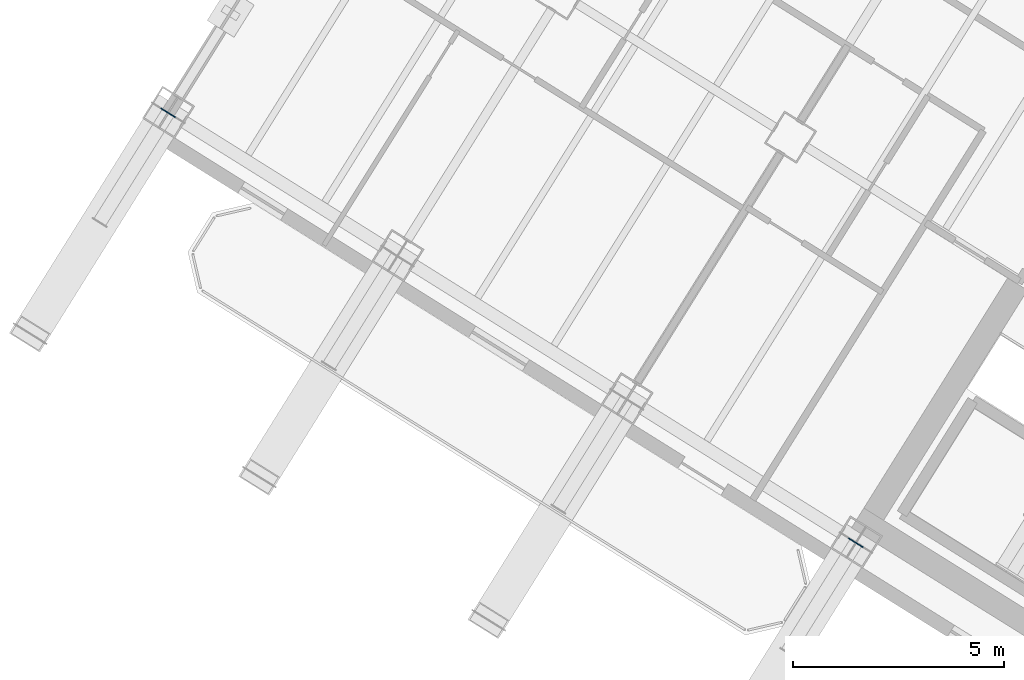
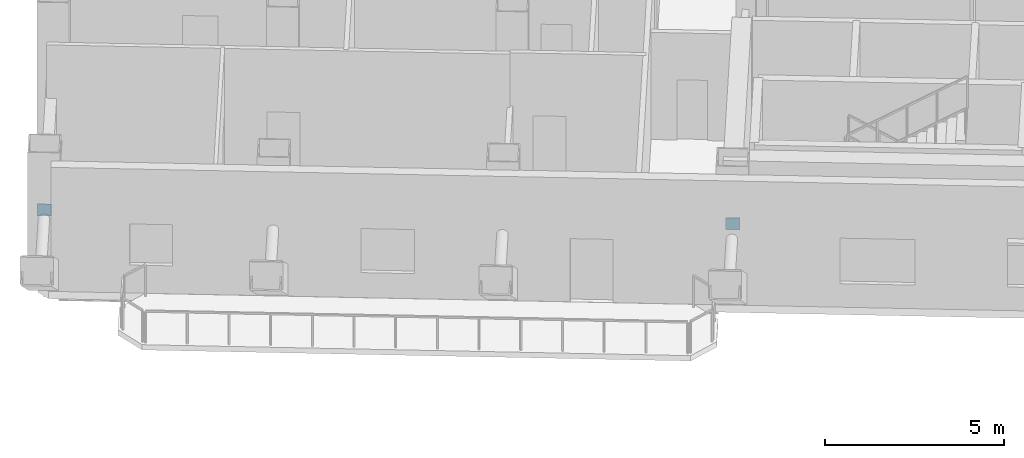
# One storey, part 17 of 32: 2 plates.
"""IFC4 building model written with IfcOpenShell, lengths in metres."""

from ifc_helpers import new_model, si_unit, direction, frame, origin, origin_2d, place, context, subcontext, project, spatial, rectangle, extrude, source, transform, mapped, material, layer, layer_set, type_object, element, save


model = new_model("IFC4")

# Units and contexts
model_context = context("Model", 3, precision=1e-05, world=origin(), true_north=direction((0.0, 1.0)))
body_context = subcontext(model_context, "Body", "Model", "MODEL_VIEW")
ifc_project = project(units=[si_unit("LENGTHUNIT", "METRE"), si_unit("AREAUNIT", "SQUARE_METRE"), si_unit("VOLUMEUNIT", "CUBIC_METRE"), si_unit("PLANEANGLEUNIT", "RADIAN"), si_unit("MASSUNIT", "GRAM", prefix="KILO")], contexts=[model_context])

# Site, building, storey
site_placement = place(None, origin())
site = spatial("IfcSite", under=ifc_project, at=site_placement, CompositionType="ELEMENT")
building_placement = place(site_placement, origin())
building = spatial("IfcBuilding", under=site, at=building_placement, Name="Tlacorven Tower", CompositionType="ELEMENT")
storey_placement = place(building_placement, frame((0.0, 0.0, 123.300048828125)))
storey = spatial("IfcBuildingStorey", under=building, at=storey_placement, Name="L31", CompositionType="ELEMENT", Elevation=123.300048828125)

# Plates
ifc_material = material(Name="Steel S460M", Category="steel")
ifc_layer = layer(ifc_material, 0.02392578125)
ifc_layer_set = layer_set([ifc_layer], Name="Steel S460M")
plate_type = type_object("IfcPlateType", Name="PL-CAP-END1", PredefinedType="USERDEFINED", material=ifc_layer_set)
shared_shape = source(origin(), body_context, "Body", "SweptSolid", [
    extrude(rectangle(XDim=0.02392578125, YDim=0.40380859375, at=origin_2d()), origin(), (0.0, 0.0, 1.0), 0.40380859375),
])
for number, where, z_axis, x_axis, name in (
    (1, (22.180419921875, 18.852783203125, 2.048095703125), (0.0, 0.0, 1.0), (-0.529920124392, -0.848047558669, 0.0), "L31 hollow end cap plate SBR-L31-W3 1"),
    (2, (5.89794921875, 29.02734375, 2.048095703125), (0.0, 0.0, 1.0), (-0.529919419306, -0.848047999256, 0.0), "L31 hollow end cap plate SBR-L31-W6 1"),
):
    element("IfcPlate", number, at=place(storey_placement, frame(where, z_axis=z_axis, x_axis=x_axis)), inside=storey, type_object=plate_type, Name=name, ObjectType="END PLATE", PredefinedType="USERDEFINED", context=body_context, shape_type="MappedRepresentation", body=[
        mapped(shared_shape, transform((0.0, 0.0, 0.0), scale=1.0)),
    ])

save(model, "model.ifc")
